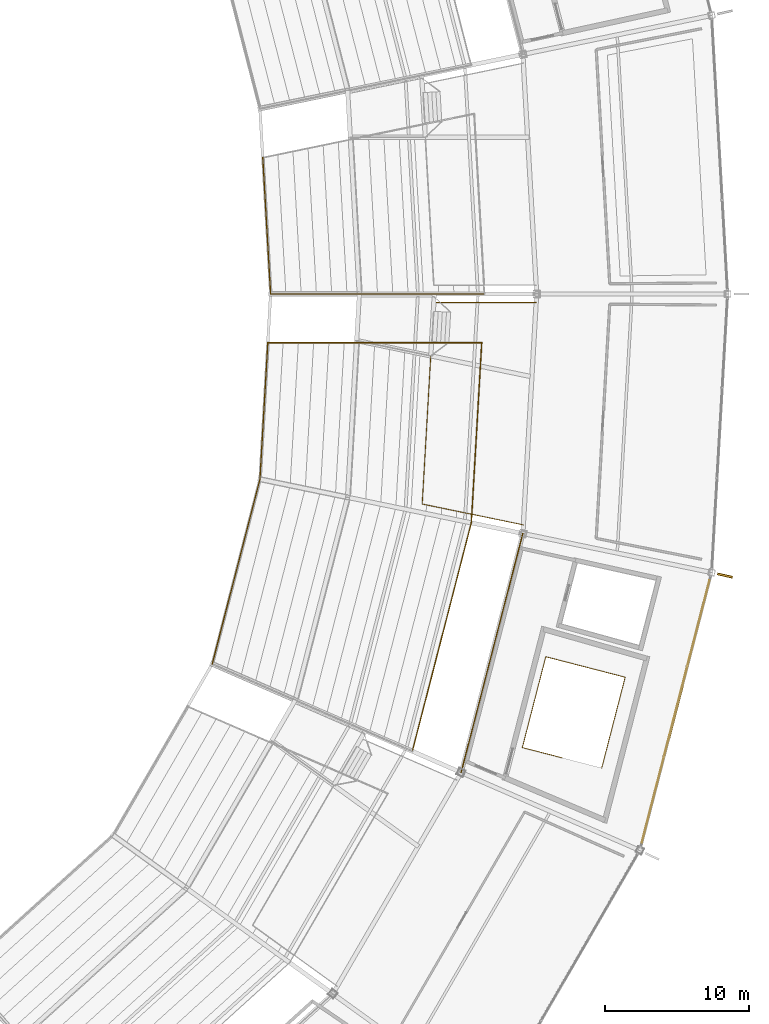
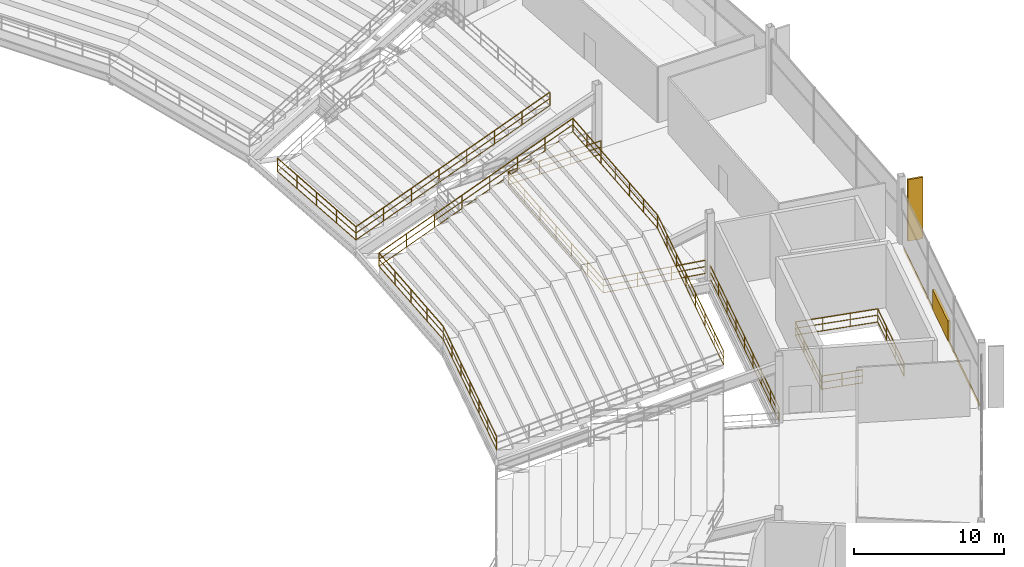
# One storey, part 178 of 186: 10 railings, 2 shading devices, 1 covering.
"""IFC4 building model written with IfcOpenShell, lengths in metres."""

import ifcopenshell
import ifcopenshell.guid

model = None  # the IFC model being written
_history = None  # IfcOwnerHistory: only IFC2X3 demands one
_inside = {}  # id of a spatial element -> (the spatial element, [elements in it])
_under = {}  # id of a project, library or spatial element -> (it, [spatial elements below it])
_declared = {}  # id of a project -> (the project, [libraries it declares])
_typed = {}  # id of a type object -> (the type object, [elements of that type])
_made_of = {}  # id of a material, layer set ... -> (it, [elements and type objects made of it])


def new_model(schema):
    """Start an empty IFC model of exactly this schema.

    Asked for "IFC4X3", IfcOpenShell would pick the latest addendum, in which some entities
    have other attributes; the version numbers below select the first issue.
    IFC2X3 requires an IfcOwnerHistory on every rooted entity: one is made here for all.
    """
    global model, _history
    if schema == "IFC4X3":
        model = ifcopenshell.file(schema_version=(4, 3, 0, 0))
    else:
        model = ifcopenshell.file(schema=schema)
    _inside.clear()
    _under.clear()
    _declared.clear()
    _typed.clear()
    _made_of.clear()
    _history = None
    if model.schema == "IFC2X3":
        org = make("IfcOrganization", Name="unknown")
        user = make(
            "IfcPersonAndOrganization",
            ThePerson=make("IfcPerson", FamilyName="unknown"),
            TheOrganization=org,
        )
        app = make(
            "IfcApplication",
            ApplicationDeveloper=org,
            Version="unknown",
            ApplicationFullName="unknown",
            ApplicationIdentifier="unknown",
        )
        _history = make(
            "IfcOwnerHistory",
            OwningUser=user,
            OwningApplication=app,
            ChangeAction="ADDED",
            CreationDate=0,
        )
    return model


def make(cls, **values):
    """One entity of the class cls with the attributes given. An attribute that is None is left unset."""
    return model.create_entity(
        cls, **{name: value for name, value in values.items() if value is not None}
    )


def rooted(cls, **values):
    """An entity with a GlobalId (a new one), such as an element, a storey or a relation."""
    return make(cls, GlobalId=ifcopenshell.guid.new(), OwnerHistory=_history, **values)


def si_unit(unit_type, name, prefix=None):
    """IfcSIUnit, for example si_unit("LENGTHUNIT", "METRE", prefix="MILLI")."""
    return make("IfcSIUnit", UnitType=unit_type, Prefix=prefix, Name=name)


def assignment(units):
    """IfcUnitAssignment: the units of a project."""
    return None if units is None else make("IfcUnitAssignment", Units=units)


def point(xyz):
    """IfcCartesianPoint."""
    return None if xyz is None else make("IfcCartesianPoint", Coordinates=xyz)


def direction(xyz):
    """IfcDirection."""
    return None if xyz is None else make("IfcDirection", DirectionRatios=xyz)


def frame(location, z_axis=None, x_axis=None):
    """IfcAxis2Placement3D, a coordinate frame: its origin and axes. An axis left out is left unset."""
    return make(
        "IfcAxis2Placement3D",
        Location=point(location),
        Axis=direction(z_axis),
        RefDirection=direction(x_axis),
    )


def frame_2d(location, x_axis=None):
    """IfcAxis2Placement2D, a coordinate frame in the plane: its origin and x axis."""
    return make(
        "IfcAxis2Placement2D", Location=point(location), RefDirection=direction(x_axis)
    )


def origin():
    """The frame at (0, 0, 0) with its axes left unset."""
    return frame((0.0, 0.0, 0.0))


def origin_2d():
    """The frame at (0, 0) in the plane with its x axis left unset."""
    return frame_2d((0.0, 0.0))


def place(relative_to, where):
    """IfcLocalPlacement: puts the frame where relative to a parent placement (None: the world)."""
    return make(
        "IfcLocalPlacement", PlacementRelTo=relative_to, RelativePlacement=where
    )


def context(
    kind, dimensions, precision=None, world=None, true_north=None, identifier=None
):
    """IfcGeometricRepresentationContext, for example the 3D "Model" context."""
    return make(
        "IfcGeometricRepresentationContext",
        ContextIdentifier=identifier,
        ContextType=kind,
        CoordinateSpaceDimension=dimensions,
        Precision=precision,
        WorldCoordinateSystem=world,
        TrueNorth=true_north,
    )


def subcontext(parent, identifier, kind, view, scale=None):
    """IfcGeometricRepresentationSubContext, for example "Body" below "Model"."""
    return make(
        "IfcGeometricRepresentationSubContext",
        ContextIdentifier=identifier,
        ContextType=kind,
        ParentContext=parent,
        TargetScale=scale,
        TargetView=view,
    )


def project(units=None, contexts=None):
    """IfcProject with its units and contexts."""
    return rooted(
        "IfcProject",
        Name="project",
        RepresentationContexts=contexts,
        UnitsInContext=assignment(units),
    )


def spatial(cls, under=None, at=None, **own):
    """A site, building, storey or space (cls), placed at a placement, below another one or the project."""
    s = rooted(cls, ObjectPlacement=at, **own)
    if under is not None:
        _under.setdefault(under.id(), (under, []))[1].append(s)
    return s


def profile(cls, at=None, kind="AREA", **sizes):
    """A parametric profile (cls). Its sizes go by their IFC names, for example OverallWidth=200.0."""
    return make(cls, ProfileType=kind, Position=at, **sizes)


def rectangle(**sizes):
    """IfcRectangleProfileDef."""
    return profile("IfcRectangleProfileDef", **sizes)


def extrude(swept, where, along, depth):
    """IfcExtrudedAreaSolid: the profile swept, set in the frame where, extruded along a direction by depth."""
    return make(
        "IfcExtrudedAreaSolid",
        SweptArea=swept,
        Position=where,
        ExtrudedDirection=direction(along),
        Depth=depth,
    )


def shape(context_of_items, identifier, shape_type, items):
    """IfcShapeRepresentation: the items that make up one representation, for example the "Body"."""
    return make(
        "IfcShapeRepresentation",
        ContextOfItems=context_of_items,
        RepresentationIdentifier=identifier,
        RepresentationType=shape_type,
        Items=items,
    )


def material(Name=None, Category=None):
    """IfcMaterial."""
    return make("IfcMaterial", Name=Name, Category=Category)


def layer(
    of_material, thickness, ventilated=None, Name=None, Category=None, Priority=None
):
    """IfcMaterialLayer: one layer of a wall or slab, of a material (None: an air gap)."""
    return make(
        "IfcMaterialLayer",
        Material=of_material,
        LayerThickness=thickness,
        IsVentilated=ventilated,
        Name=Name,
        Category=Category,
        Priority=Priority,
    )


def layer_set(layers, Name=None):
    """IfcMaterialLayerSet."""
    return make("IfcMaterialLayerSet", MaterialLayers=layers, LayerSetName=Name)


def made_of(thing, what):
    """Note that an element or type object is made of a material, layer set ...; save() writes the relation."""
    if what is not None:
        _made_of.setdefault(what.id(), (what, []))[1].append(thing)
    return thing


def type_object(cls, material=None, **own):
    """A type object (cls), such as IfcWallType, which elements share."""
    return made_of(rooted(cls, **own), material)


def element(
    cls,
    number,
    at=None,
    inside=None,
    cuts=None,
    type_object=None,
    material=None,
    context=None,
    identifier="Body",
    shape_type=None,
    held_by="IfcProductDefinitionShape",
    body=None,
    shapes=None,
    **own,
):
    """One element of the class cls, such as IfcWall. Its Tag is "e" and its number.

    at: its placement. inside: the storey or other place that contains it. cuts: it is an
    opening in that element (IfcRelVoidsElement). A single representation is given by context,
    identifier, shape_type and body (its items); several are given by shapes. held_by: the class
    of the entity that holds the representations. save() writes the other relations.
    """
    e = rooted(cls, Tag="e%d" % number, ObjectPlacement=at, **own)
    if body is not None:
        shapes = [shape(context, identifier, shape_type, body)]
    if shapes is not None:
        e.Representation = make(held_by, Representations=shapes)
    if inside is not None:
        _inside.setdefault(inside.id(), (inside, []))[1].append(e)
    if cuts is not None:
        rooted(
            "IfcRelVoidsElement", RelatingBuildingElement=cuts, RelatedOpeningElement=e
        )
    if type_object is not None:
        _typed.setdefault(type_object.id(), (type_object, []))[1].append(e)
    return made_of(e, material)


def aggregate(whole, parts):
    """IfcRelAggregates: a whole, such as a stair, and the parts it consists of."""
    return rooted("IfcRelAggregates", RelatingObject=whole, RelatedObjects=parts)


def save(model, path):
    """Write the relations noted so far, then the file.

    IfcRelAggregates (storeys below a building ...), IfcRelContainedInSpatialStructure (elements
    in a storey), IfcRelDefinesByType, IfcRelAssociatesMaterial and IfcRelDeclares: one each for
    every whole, place, type object, material and project.
    """
    for whole, parts in _under.values():
        aggregate(whole, parts)
    for where, things in _inside.values():
        rooted(
            "IfcRelContainedInSpatialStructure",
            RelatedElements=things,
            RelatingStructure=where,
        )
    for kind, things in _typed.values():
        rooted("IfcRelDefinesByType", RelatedObjects=things, RelatingType=kind)
    for what, things in _made_of.values():
        rooted("IfcRelAssociatesMaterial", RelatedObjects=things, RelatingMaterial=what)
    for by, libraries in _declared.values():
        rooted("IfcRelDeclares", RelatingContext=by, RelatedDefinitions=libraries)
    model.write(path)


model = new_model("IFC4")

# Units and contexts
model_context = context("Model", 3, precision=1e-05, world=origin(), true_north=direction((0.0, 1.0)))
body_context = subcontext(model_context, "Body", "Model", "MODEL_VIEW")
ifc_project = project(units=[si_unit("LENGTHUNIT", "METRE"), si_unit("AREAUNIT", "SQUARE_METRE"), si_unit("VOLUMEUNIT", "CUBIC_METRE"), si_unit("PLANEANGLEUNIT", "RADIAN"), si_unit("MASSUNIT", "GRAM", prefix="KILO")], contexts=[model_context])

# Site, building, storey
site_placement = place(None, origin())
site = spatial("IfcSite", under=ifc_project, at=site_placement, CompositionType="ELEMENT")
building_placement = place(site_placement, origin())
building = spatial("IfcBuilding", under=site, at=building_placement, Name="Kazemori Nagisa Stadium", CompositionType="ELEMENT")
storey_placement = place(building_placement, frame((0.0, 0.0, 20.39990234375)))
storey = spatial("IfcBuildingStorey", under=building, at=storey_placement, Name="L04", CompositionType="ELEMENT", Elevation=20.39990234375)

# Covering
ifc_material_1 = material(Name="Anodised aluminium 6063-T5", Category="aluminium")
ifc_layer = layer(ifc_material_1, 0.034912109375, Name="Anodised aluminium 6063-T5", Category="aluminium")
ifc_layer_set = layer_set([ifc_layer], Name="Anodised aluminium 6063-T5")
covering_type = type_object("IfcCoveringType", Name="Covering_CLAD", PredefinedType="CLADDING", material=ifc_layer_set)
covering_placement = place(storey_placement, frame((214.3828125, 72.92626953125, -0.259765625), z_axis=(0.0, 0.0, 1.0), x_axis=(0.249964642418, 0.968254965152, 0.0)))
element("IfcCovering", 1, at=covering_placement, inside=storey, type_object=covering_type, Name="Anodised fascia cladding L04-B27", PredefinedType="CLADDING", context=body_context, shape_type="SweptSolid", body=[
    extrude(rectangle(XDim=18.88623046875, YDim=0.0400390625, at=origin_2d()), origin(), (0.0, 0.0, 1.0), 0.260009765625),
])

# Shading devices
ifc_material_2 = material(Name="Aluminium 6063-T5 anodised", Category="aluminium")
shading_device_type_1 = type_object("IfcShadingDeviceType", Name="Fin_FN03", PredefinedType="USERDEFINED", material=ifc_material_2)
shading_device_1_placement = place(storey_placement, frame((217.811767578125, 82.389892578125, 0.0), z_axis=(0.0, 0.0, 1.0), x_axis=(0.974927912182, -0.222520933954, 0.0)))
element("IfcShadingDevice", 2, at=shading_device_1_placement, inside=storey, type_object=shading_device_type_1, Name="Aerodynamic wave shading fin L04-28", ObjectType="FIN", PredefinedType="USERDEFINED", context=body_context, shape_type="SweptSolid", body=[
    extrude(rectangle(XDim=1.050048828125, YDim=0.139892578125, at=origin_2d()), origin(), (0.0, 0.0, 1.0), 5.0),
])
shading_device_type_2 = type_object("IfcShadingDeviceType", Name="Louvre_LV02", PredefinedType="JALOUSIE", material=ifc_material_2)
shading_device_2_placement = place(storey_placement, frame((214.3828125, 72.92626953125, -0.010009765625), z_axis=(0.0, 0.0, 1.0), x_axis=(0.249964642418, 0.968254965152, 0.0)))
element("IfcShadingDevice", 3, at=shading_device_2_placement, inside=storey, type_object=shading_device_type_2, Name="Concourse ventilation louvre L04-B27", PredefinedType="JALOUSIE", context=body_context, shape_type="SweptSolid", body=[
    extrude(rectangle(XDim=3.800048828125, YDim=0.179931640625, at=origin_2d()), origin(), (0.0, 0.0, 1.0), 1.60009765625),
])

# Railings
ifc_material_3 = material(Name="Laminated safety glass and stainless steel SUS304", Category="steel")
railing_type_1 = type_object("IfcRailingType", Name="Rail_BAL", PredefinedType="BALUSTRADE", material=ifc_material_3)
railing_1_placement = place(storey_placement, frame((199.44091796875, 68.67529296875, 0.0)))
element("IfcRailing", 4, at=railing_1_placement, inside=storey, type_object=railing_type_1, Name="Upper concourse balustrade L04-B27", PredefinedType="BALUSTRADE", context=body_context, shape_type="SweptSolid", body=[
    extrude(rectangle(XDim=0.050048828125, YDim=0.050048828125, at=origin_2d()), frame((0.0, 0.0, 1.09521484375), z_axis=(0.249974673676, 0.968252375427, 0.0), x_axis=(-0.968252375427, 0.249974673676, 0.0)), (0.0, 0.0, 1.0), 17.188232421875),
    extrude(rectangle(XDim=0.03759765625, YDim=0.03759765625, at=origin_2d()), frame((0.0, 0.0, 0.58251953125), z_axis=(0.249974673676, 0.968252375427, 0.0), x_axis=(-0.968252375427, 0.249974673676, 0.0)), (0.0, 0.0, 1.0), 17.188232421875),
    extrude(rectangle(XDim=0.03759765625, YDim=0.03759765625, at=origin_2d()), frame((0.0, 0.0, 0.02490234375), z_axis=(0.249974673676, 0.968252375427, 0.0), x_axis=(-0.968252375427, 0.249974673676, 0.0)), (0.0, 0.0, 1.0), 17.188232421875),
    extrude(rectangle(XDim=0.044921875, YDim=0.044921875, at=origin_2d()), origin(), (0.0, 0.0, 1.0), 1.070068359375),
    extrude(rectangle(XDim=0.044921875, YDim=0.044921875, at=origin_2d()), frame((0.537109375, 2.080322265625, 0.0)), (0.0, 0.0, 1.0), 1.070068359375),
    extrude(rectangle(XDim=0.044921875, YDim=0.044921875, at=origin_2d()), frame((1.07421875, 4.16064453125, 0.0)), (0.0, 0.0, 1.0), 1.070068359375),
    extrude(rectangle(XDim=0.044921875, YDim=0.044921875, at=origin_2d()), frame((1.611328125, 6.240966796875, 0.0)), (0.0, 0.0, 1.0), 1.070068359375),
    extrude(rectangle(XDim=0.044921875, YDim=0.044921875, at=origin_2d()), frame((2.1484375, 8.3212890625, 0.0)), (0.0, 0.0, 1.0), 1.070068359375),
    extrude(rectangle(XDim=0.044921875, YDim=0.044921875, at=origin_2d()), frame((2.685302734375, 10.401611328125, 0.0)), (0.0, 0.0, 1.0), 1.070068359375),
    extrude(rectangle(XDim=0.044921875, YDim=0.044921875, at=origin_2d()), frame((3.222412109375, 12.48193359375, 0.0)), (0.0, 0.0, 1.0), 1.070068359375),
    extrude(rectangle(XDim=0.044921875, YDim=0.044921875, at=origin_2d()), frame((3.759521484375, 14.562255859375, 0.0)), (0.0, 0.0, 1.0), 1.070068359375),
    extrude(rectangle(XDim=0.044921875, YDim=0.044921875, at=origin_2d()), frame((4.296630859375, 16.642578125, 0.0)), (0.0, 0.0, 1.0), 1.070068359375),
])
railing_2_placement = place(storey_placement, frame((203.77197265625, 85.9169921875, 0.0)))
element("IfcRailing", 5, at=railing_2_placement, inside=storey, type_object=railing_type_1, Name="Upper vomitory lobby balustrade B28", PredefinedType="BALUSTRADE", context=body_context, shape_type="SweptSolid", body=[
    extrude(rectangle(XDim=0.050048828125, YDim=0.050048828125, at=origin_2d()), frame((0.0, 0.0, 1.09521484375), z_axis=(-0.979313585997, 0.202348462516, 0.0), x_axis=(-0.202348462516, -0.979313585997, 0.0)), (0.0, 0.0, 1.0), 7.189697265625),
    extrude(rectangle(XDim=0.03759765625, YDim=0.03759765625, at=origin_2d()), frame((0.0, 0.0, 0.58251953125), z_axis=(-0.979313585997, 0.202348462516, 0.0), x_axis=(-0.202348462516, -0.979313585997, 0.0)), (0.0, 0.0, 1.0), 7.189697265625),
    extrude(rectangle(XDim=0.03759765625, YDim=0.03759765625, at=origin_2d()), frame((0.0, 0.0, 0.02490234375), z_axis=(-0.979313585997, 0.202348462516, 0.0), x_axis=(-0.202348462516, -0.979313585997, 0.0)), (0.0, 0.0, 1.0), 7.189697265625),
    extrude(rectangle(XDim=0.050048828125, YDim=0.050048828125, at=origin_2d()), frame((-7.041015625, 1.454833984375, 1.09521484375), z_axis=(0.057610854061, 0.998339115478, 0.0), x_axis=(-0.998339115478, 0.057610854061, 0.0)), (0.0, 0.0, 1.0), 14.052490234375),
    extrude(rectangle(XDim=0.03759765625, YDim=0.03759765625, at=origin_2d()), frame((-7.041015625, 1.454833984375, 0.58251953125), z_axis=(0.057610854061, 0.998339115478, 0.0), x_axis=(-0.998339115478, 0.057610854061, 0.0)), (0.0, 0.0, 1.0), 14.052490234375),
    extrude(rectangle(XDim=0.03759765625, YDim=0.03759765625, at=origin_2d()), frame((-7.041015625, 1.454833984375, 0.02490234375), z_axis=(0.057610854061, 0.998339115478, 0.0), x_axis=(-0.998339115478, 0.057610854061, 0.0)), (0.0, 0.0, 1.0), 14.052490234375),
    extrude(rectangle(XDim=0.050048828125, YDim=0.050048828125, at=origin_2d()), frame((-6.2314453125, 15.48388671875, 1.09521484375), z_axis=(1.0, 0.0, 0.0), x_axis=(0.0, 1.0, 0.0)), (0.0, 0.0, 1.0), 7.125),
    extrude(rectangle(XDim=0.03759765625, YDim=0.03759765625, at=origin_2d()), frame((-6.2314453125, 15.48388671875, 0.58251953125), z_axis=(1.0, 0.0, 0.0), x_axis=(0.0, 1.0, 0.0)), (0.0, 0.0, 1.0), 7.125),
    extrude(rectangle(XDim=0.03759765625, YDim=0.03759765625, at=origin_2d()), frame((-6.2314453125, 15.48388671875, 0.02490234375), z_axis=(1.0, 0.0, 0.0), x_axis=(0.0, 1.0, 0.0)), (0.0, 0.0, 1.0), 7.125),
    extrude(rectangle(XDim=0.044921875, YDim=0.044921875, at=origin_2d()), origin(), (0.0, 0.0, 1.0), 1.070068359375),
    extrude(rectangle(XDim=0.044921875, YDim=0.044921875, at=origin_2d()), frame((-2.346923828125, 0.48486328125, 0.0)), (0.0, 0.0, 1.0), 1.070068359375),
    extrude(rectangle(XDim=0.044921875, YDim=0.044921875, at=origin_2d()), frame((-4.694091796875, 0.969970703125, 0.0)), (0.0, 0.0, 1.0), 1.070068359375),
    extrude(rectangle(XDim=0.044921875, YDim=0.044921875, at=origin_2d()), frame((-7.041015625, 1.454833984375, 0.0)), (0.0, 0.0, 1.0), 1.070068359375),
    extrude(rectangle(XDim=0.044921875, YDim=0.044921875, at=origin_2d()), frame((-6.906005859375, 3.79296875, 0.0)), (0.0, 0.0, 1.0), 1.070068359375),
    extrude(rectangle(XDim=0.044921875, YDim=0.044921875, at=origin_2d()), frame((-6.771240234375, 6.131103515625, 0.0)), (0.0, 0.0, 1.0), 1.070068359375),
    extrude(rectangle(XDim=0.044921875, YDim=0.044921875, at=origin_2d()), frame((-6.63623046875, 8.46923828125, 0.0)), (0.0, 0.0, 1.0), 1.070068359375),
    extrude(rectangle(XDim=0.044921875, YDim=0.044921875, at=origin_2d()), frame((-6.501220703125, 10.8076171875, 0.0)), (0.0, 0.0, 1.0), 1.070068359375),
    extrude(rectangle(XDim=0.044921875, YDim=0.044921875, at=origin_2d()), frame((-6.366455078125, 13.145751953125, 0.0)), (0.0, 0.0, 1.0), 1.070068359375),
    extrude(rectangle(XDim=0.044921875, YDim=0.044921875, at=origin_2d()), frame((-6.2314453125, 15.48388671875, 0.0)), (0.0, 0.0, 1.0), 1.070068359375),
    extrude(rectangle(XDim=0.044921875, YDim=0.044921875, at=origin_2d()), frame((-3.8564453125, 15.48388671875, 0.0)), (0.0, 0.0, 1.0), 1.070068359375),
    extrude(rectangle(XDim=0.044921875, YDim=0.044921875, at=origin_2d()), frame((-1.4814453125, 15.48388671875, 0.0)), (0.0, 0.0, 1.0), 1.070068359375),
    extrude(rectangle(XDim=0.044921875, YDim=0.044921875, at=origin_2d()), frame((0.8935546875, 15.48388671875, 0.0)), (0.0, 0.0, 1.0), 1.070068359375),
])
ifc_material_4 = material(Name="Galvanised powder-coated steel", Category="steel")
railing_type_2 = type_object("IfcRailingType", Name="Rail_GUARD", PredefinedType="GUARDRAIL", material=ifc_material_4)
railing_3_placement = place(storey_placement, frame((206.46826171875, 69.7041015625, 0.0)))
element("IfcRailing", 6, at=railing_3_placement, inside=storey, type_object=railing_type_2, Name="Stair well perimeter guard ST10-L04", PredefinedType="GUARDRAIL", context=body_context, shape_type="SweptSolid", body=[
    extrude(rectangle(XDim=0.050048828125, YDim=0.050048828125, at=origin_2d()), frame((0.0, 0.0, 1.09521484375), z_axis=(-0.968254587534, 0.249966105142, 0.0), x_axis=(-0.249966105142, -0.968254587534, 0.0)), (0.0, 0.0, 1.0), 2.85009765625),
    extrude(rectangle(XDim=0.03759765625, YDim=0.03759765625, at=origin_2d()), frame((0.0, 0.0, 0.58251953125), z_axis=(-0.968254587534, 0.249966105142, 0.0), x_axis=(-0.249966105142, -0.968254587534, 0.0)), (0.0, 0.0, 1.0), 2.85009765625),
    extrude(rectangle(XDim=0.03759765625, YDim=0.03759765625, at=origin_2d()), frame((0.0, 0.0, 0.02490234375), z_axis=(-0.968254587534, 0.249966105142, 0.0), x_axis=(-0.249966105142, -0.968254587534, 0.0)), (0.0, 0.0, 1.0), 2.85009765625),
    extrude(rectangle(XDim=0.050048828125, YDim=0.050048828125, at=origin_2d()), frame((-2.759521484375, 0.71240234375, 1.09521484375), z_axis=(0.249941389051, 0.968260967942, 0.0), x_axis=(-0.968260967942, 0.249941389051, 0.0)), (0.0, 0.0, 1.0), 6.52490234375),
    extrude(rectangle(XDim=0.03759765625, YDim=0.03759765625, at=origin_2d()), frame((-2.759521484375, 0.71240234375, 0.58251953125), z_axis=(0.249941389051, 0.968260967942, 0.0), x_axis=(-0.968260967942, 0.249941389051, 0.0)), (0.0, 0.0, 1.0), 6.52490234375),
    extrude(rectangle(XDim=0.03759765625, YDim=0.03759765625, at=origin_2d()), frame((-2.759521484375, 0.71240234375, 0.02490234375), z_axis=(0.249941389051, 0.968260967942, 0.0), x_axis=(-0.968260967942, 0.249941389051, 0.0)), (0.0, 0.0, 1.0), 6.52490234375),
    extrude(rectangle(XDim=0.050048828125, YDim=0.050048828125, at=origin_2d()), frame((-1.128662109375, 7.0302734375, 1.09521484375), z_axis=(0.968257263626, -0.249955738953, 0.0), x_axis=(0.249955738953, 0.968257263626, 0.0)), (0.0, 0.0, 1.0), 5.7001953125),
    extrude(rectangle(XDim=0.03759765625, YDim=0.03759765625, at=origin_2d()), frame((-1.128662109375, 7.0302734375, 0.58251953125), z_axis=(0.968257263626, -0.249955738953, 0.0), x_axis=(0.249955738953, 0.968257263626, 0.0)), (0.0, 0.0, 1.0), 5.7001953125),
    extrude(rectangle(XDim=0.03759765625, YDim=0.03759765625, at=origin_2d()), frame((-1.128662109375, 7.0302734375, 0.02490234375), z_axis=(0.968257263626, -0.249955738953, 0.0), x_axis=(0.249955738953, 0.968257263626, 0.0)), (0.0, 0.0, 1.0), 5.7001953125),
    extrude(rectangle(XDim=0.050048828125, YDim=0.050048828125, at=origin_2d()), frame((4.390625, 5.60546875, 1.09521484375), z_axis=(-0.249976467507, -0.96825191231, 0.0), x_axis=(0.96825191231, -0.249976467507, 0.0)), (0.0, 0.0, 1.0), 6.525146484375),
    extrude(rectangle(XDim=0.03759765625, YDim=0.03759765625, at=origin_2d()), frame((4.390625, 5.60546875, 0.58251953125), z_axis=(-0.249976467507, -0.96825191231, 0.0), x_axis=(0.96825191231, -0.249976467507, 0.0)), (0.0, 0.0, 1.0), 6.525146484375),
    extrude(rectangle(XDim=0.03759765625, YDim=0.03759765625, at=origin_2d()), frame((4.390625, 5.60546875, 0.02490234375), z_axis=(-0.249976467507, -0.96825191231, 0.0), x_axis=(0.96825191231, -0.249976467507, 0.0)), (0.0, 0.0, 1.0), 6.525146484375),
    extrude(rectangle(XDim=0.044921875, YDim=0.044921875, at=origin_2d()), origin(), (0.0, 0.0, 1.0), 1.070068359375),
    extrude(rectangle(XDim=0.044921875, YDim=0.044921875, at=origin_2d()), frame((-1.3798828125, 0.356201171875, 0.0)), (0.0, 0.0, 1.0), 1.070068359375),
    extrude(rectangle(XDim=0.044921875, YDim=0.044921875, at=origin_2d()), frame((-2.759521484375, 0.71240234375, 0.0)), (0.0, 0.0, 1.0), 1.070068359375),
    extrude(rectangle(XDim=0.044921875, YDim=0.044921875, at=origin_2d()), frame((-2.2158203125, 2.818359375, 0.0)), (0.0, 0.0, 1.0), 1.070068359375),
    extrude(rectangle(XDim=0.044921875, YDim=0.044921875, at=origin_2d()), frame((-1.67236328125, 4.92431640625, 0.0)), (0.0, 0.0, 1.0), 1.070068359375),
    extrude(rectangle(XDim=0.044921875, YDim=0.044921875, at=origin_2d()), frame((-1.128662109375, 7.0302734375, 0.0)), (0.0, 0.0, 1.0), 1.070068359375),
    extrude(rectangle(XDim=0.044921875, YDim=0.044921875, at=origin_2d()), frame((0.711181640625, 6.555419921875, 0.0)), (0.0, 0.0, 1.0), 1.070068359375),
    extrude(rectangle(XDim=0.044921875, YDim=0.044921875, at=origin_2d()), frame((2.55078125, 6.080322265625, 0.0)), (0.0, 0.0, 1.0), 1.070068359375),
    extrude(rectangle(XDim=0.044921875, YDim=0.044921875, at=origin_2d()), frame((4.390625, 5.60546875, 0.0)), (0.0, 0.0, 1.0), 1.070068359375),
    extrude(rectangle(XDim=0.044921875, YDim=0.044921875, at=origin_2d()), frame((3.846923828125, 3.49951171875, 0.0)), (0.0, 0.0, 1.0), 1.070068359375),
    extrude(rectangle(XDim=0.044921875, YDim=0.044921875, at=origin_2d()), frame((3.30322265625, 1.3935546875, 0.0)), (0.0, 0.0, 1.0), 1.070068359375),
    extrude(rectangle(XDim=0.044921875, YDim=0.044921875, at=origin_2d()), frame((2.759521484375, -0.71240234375, 0.0)), (0.0, 0.0, 1.0), 1.070068359375),
])
railing_4_placement = place(storey_placement, frame((186.175048828125, 102.0, -0.8798828125)))
element("IfcRailing", 7, at=railing_4_placement, inside=storey, type_object=railing_type_2, Name="Upper tier front crowd barrier B01", PredefinedType="GUARDRAIL", context=body_context, shape_type="SweptSolid", body=[
    extrude(rectangle(XDim=0.050048828125, YDim=0.050048828125, at=origin_2d()), frame((0.0, 0.0, 1.09521484375), z_axis=(-0.057618652076, 0.99833866545, 0.0), x_axis=(-0.99833866545, -0.057618652076, 0.0)), (0.0, 0.0, 1.0), 9.52099609375),
    extrude(rectangle(XDim=0.03759765625, YDim=0.03759765625, at=origin_2d()), frame((0.0, 0.0, 0.58251953125), z_axis=(-0.057618652076, 0.99833866545, 0.0), x_axis=(-0.99833866545, -0.057618652076, 0.0)), (0.0, 0.0, 1.0), 9.52099609375),
    extrude(rectangle(XDim=0.03759765625, YDim=0.03759765625, at=origin_2d()), frame((0.0, 0.0, 0.02490234375), z_axis=(-0.057618652076, 0.99833866545, 0.0), x_axis=(-0.99833866545, -0.057618652076, 0.0)), (0.0, 0.0, 1.0), 9.52099609375),
    extrude(rectangle(XDim=0.044921875, YDim=0.044921875, at=origin_2d()), origin(), (0.0, 0.0, 1.0), 1.070068359375),
    extrude(rectangle(XDim=0.044921875, YDim=0.044921875, at=origin_2d()), frame((-0.13720703125, 2.376220703125, 0.0)), (0.0, 0.0, 1.0), 1.070068359375),
    extrude(rectangle(XDim=0.044921875, YDim=0.044921875, at=origin_2d()), frame((-0.2744140625, 4.75244140625, 0.0)), (0.0, 0.0, 1.0), 1.070068359375),
    extrude(rectangle(XDim=0.044921875, YDim=0.044921875, at=origin_2d()), frame((-0.411376953125, 7.12890625, 0.0)), (0.0, 0.0, 1.0), 1.070068359375),
    extrude(rectangle(XDim=0.044921875, YDim=0.044921875, at=origin_2d()), frame((-0.548583984375, 9.505126953125, 0.0)), (0.0, 0.0, 1.0), 1.070068359375),
])
railing_5_placement = place(storey_placement, frame((186.175048828125, 102.0, -0.8798828125)))
element("IfcRailing", 8, at=railing_5_placement, inside=storey, type_object=railing_type_2, Name="Upper tier radial step guard B01L", PredefinedType="GUARDRAIL", context=body_context, shape_type="SweptSolid", body=[
    extrude(rectangle(XDim=0.050048828125, YDim=0.050048828125, at=origin_2d()), frame((0.0, 0.0, 1.09521484375), z_axis=(0.933539879319, 0.0, 0.3584735607), x_axis=(0.0, 1.0, 0.0)), (0.0, 0.0, 1.0), 15.95654296875),
    extrude(rectangle(XDim=0.03759765625, YDim=0.03759765625, at=origin_2d()), frame((0.0, 0.0, 0.58251953125), z_axis=(0.933539879319, 0.0, 0.3584735607), x_axis=(0.0, 1.0, 0.0)), (0.0, 0.0, 1.0), 15.95654296875),
    extrude(rectangle(XDim=0.03759765625, YDim=0.03759765625, at=origin_2d()), frame((0.0, 0.0, 0.02490234375), z_axis=(0.933539879319, 0.0, 0.3584735607), x_axis=(0.0, 1.0, 0.0)), (0.0, 0.0, 1.0), 15.95654296875),
    extrude(rectangle(XDim=0.044921875, YDim=0.044921875, at=origin_2d()), origin(), (0.0, 0.0, 1.0), 1.070068359375),
    extrude(rectangle(XDim=0.044921875, YDim=0.044921875, at=origin_2d()), frame((2.1279296875, 0.0, 0.817138671875)), (0.0, 0.0, 1.0), 1.070068359375),
    extrude(rectangle(XDim=0.044921875, YDim=0.044921875, at=origin_2d()), frame((4.256103515625, 0.0, 1.63427734375)), (0.0, 0.0, 1.0), 1.070068359375),
    extrude(rectangle(XDim=0.044921875, YDim=0.044921875, at=origin_2d()), frame((6.384033203125, 0.0, 2.451416015625)), (0.0, 0.0, 1.0), 1.070068359375),
    extrude(rectangle(XDim=0.044921875, YDim=0.044921875, at=origin_2d()), frame((8.511962890625, 0.0, 3.2685546875)), (0.0, 0.0, 1.0), 1.070068359375),
    extrude(rectangle(XDim=0.044921875, YDim=0.044921875, at=origin_2d()), frame((10.639892578125, 0.0, 4.085693359375)), (0.0, 0.0, 1.0), 1.070068359375),
    extrude(rectangle(XDim=0.044921875, YDim=0.044921875, at=origin_2d()), frame((12.76806640625, 0.0, 4.90283203125)), (0.0, 0.0, 1.0), 1.070068359375),
    extrude(rectangle(XDim=0.044921875, YDim=0.044921875, at=origin_2d()), frame((14.89599609375, 0.0, 5.719970703125)), (0.0, 0.0, 1.0), 1.070068359375),
])
railing_6_placement = place(storey_placement, frame((182.1083984375, 76.2314453125, -0.8798828125)))
element("IfcRailing", 9, at=railing_6_placement, inside=storey, type_object=railing_type_2, Name="Upper tier front crowd barrier B27", PredefinedType="GUARDRAIL", context=body_context, shape_type="SweptSolid", body=[
    extrude(rectangle(XDim=0.050048828125, YDim=0.050048828125, at=origin_2d()), frame((0.0, 0.0, 1.09521484375), z_axis=(0.249962460732, 0.968255528373, 0.0), x_axis=(-0.968255528373, 0.249962460732, 0.0)), (0.0, 0.0, 1.0), 13.291015625),
    extrude(rectangle(XDim=0.03759765625, YDim=0.03759765625, at=origin_2d()), frame((0.0, 0.0, 0.58251953125), z_axis=(0.249962460732, 0.968255528373, 0.0), x_axis=(-0.968255528373, 0.249962460732, 0.0)), (0.0, 0.0, 1.0), 13.291015625),
    extrude(rectangle(XDim=0.03759765625, YDim=0.03759765625, at=origin_2d()), frame((0.0, 0.0, 0.02490234375), z_axis=(0.249962460732, 0.968255528373, 0.0), x_axis=(-0.968255528373, 0.249962460732, 0.0)), (0.0, 0.0, 1.0), 13.291015625),
    extrude(rectangle(XDim=0.044921875, YDim=0.044921875, at=origin_2d()), origin(), (0.0, 0.0, 1.0), 1.070068359375),
    extrude(rectangle(XDim=0.044921875, YDim=0.044921875, at=origin_2d()), frame((0.5537109375, 2.144775390625, 0.0)), (0.0, 0.0, 1.0), 1.070068359375),
    extrude(rectangle(XDim=0.044921875, YDim=0.044921875, at=origin_2d()), frame((1.107421875, 4.289794921875, 0.0)), (0.0, 0.0, 1.0), 1.070068359375),
    extrude(rectangle(XDim=0.044921875, YDim=0.044921875, at=origin_2d()), frame((1.6611328125, 6.4345703125, 0.0)), (0.0, 0.0, 1.0), 1.070068359375),
    extrude(rectangle(XDim=0.044921875, YDim=0.044921875, at=origin_2d()), frame((2.21484375, 8.579345703125, 0.0)), (0.0, 0.0, 1.0), 1.070068359375),
    extrude(rectangle(XDim=0.044921875, YDim=0.044921875, at=origin_2d()), frame((2.7685546875, 10.724365234375, 0.0)), (0.0, 0.0, 1.0), 1.070068359375),
    extrude(rectangle(XDim=0.044921875, YDim=0.044921875, at=origin_2d()), frame((3.322265625, 12.869140625, 0.0)), (0.0, 0.0, 1.0), 1.070068359375),
])
railing_7_placement = place(storey_placement, frame((196.045654296875, 70.155517578125, 4.840087890625)))
element("IfcRailing", 10, at=railing_7_placement, inside=storey, type_object=railing_type_2, Name="Upper tier rear guard B27", PredefinedType="GUARDRAIL", context=body_context, shape_type="SweptSolid", body=[
    extrude(rectangle(XDim=0.050048828125, YDim=0.050048828125, at=origin_2d()), frame((0.0, 0.0, 1.09521484375), z_axis=(0.24995354204, 0.968257830757, 0.0), x_axis=(-0.968257830757, 0.24995354204, 0.0)), (0.0, 0.0, 1.0), 16.425048828125),
    extrude(rectangle(XDim=0.03759765625, YDim=0.03759765625, at=origin_2d()), frame((0.0, 0.0, 0.58251953125), z_axis=(0.24995354204, 0.968257830757, 0.0), x_axis=(-0.968257830757, 0.24995354204, 0.0)), (0.0, 0.0, 1.0), 16.425048828125),
    extrude(rectangle(XDim=0.03759765625, YDim=0.03759765625, at=origin_2d()), frame((0.0, 0.0, 0.02490234375), z_axis=(0.24995354204, 0.968257830757, 0.0), x_axis=(-0.968257830757, 0.24995354204, 0.0)), (0.0, 0.0, 1.0), 16.425048828125),
    extrude(rectangle(XDim=0.044921875, YDim=0.044921875, at=origin_2d()), origin(), (0.0, 0.0, 1.0), 1.070068359375),
    extrude(rectangle(XDim=0.044921875, YDim=0.044921875, at=origin_2d()), frame((0.58642578125, 2.27197265625, 0.0)), (0.0, 0.0, 1.0), 1.070068359375),
    extrude(rectangle(XDim=0.044921875, YDim=0.044921875, at=origin_2d()), frame((1.173095703125, 4.5439453125, 0.0)), (0.0, 0.0, 1.0), 1.070068359375),
    extrude(rectangle(XDim=0.044921875, YDim=0.044921875, at=origin_2d()), frame((1.759521484375, 6.81591796875, 0.0)), (0.0, 0.0, 1.0), 1.070068359375),
    extrude(rectangle(XDim=0.044921875, YDim=0.044921875, at=origin_2d()), frame((2.345947265625, 9.087646484375, 0.0)), (0.0, 0.0, 1.0), 1.070068359375),
    extrude(rectangle(XDim=0.044921875, YDim=0.044921875, at=origin_2d()), frame((2.932373046875, 11.359619140625, 0.0)), (0.0, 0.0, 1.0), 1.070068359375),
    extrude(rectangle(XDim=0.044921875, YDim=0.044921875, at=origin_2d()), frame((3.51904296875, 13.631591796875, 0.0)), (0.0, 0.0, 1.0), 1.070068359375),
    extrude(rectangle(XDim=0.044921875, YDim=0.044921875, at=origin_2d()), frame((4.10546875, 15.903564453125, 0.0)), (0.0, 0.0, 1.0), 1.070068359375),
])
railing_8_placement = place(storey_placement, frame((185.4306640625, 89.1005859375, -0.8798828125)))
element("IfcRailing", 11, at=railing_8_placement, inside=storey, type_object=railing_type_2, Name="Upper tier front crowd barrier B28", PredefinedType="GUARDRAIL", context=body_context, shape_type="SweptSolid", body=[
    extrude(rectangle(XDim=0.050048828125, YDim=0.050048828125, at=origin_2d()), frame((0.0, 0.0, 1.09521484375), z_axis=(0.057618652076, 0.99833866545, 0.0), x_axis=(-0.99833866545, 0.057618652076, 0.0)), (0.0, 0.0, 1.0), 9.52099609375),
    extrude(rectangle(XDim=0.03759765625, YDim=0.03759765625, at=origin_2d()), frame((0.0, 0.0, 0.58251953125), z_axis=(0.057618652076, 0.99833866545, 0.0), x_axis=(-0.99833866545, 0.057618652076, 0.0)), (0.0, 0.0, 1.0), 9.52099609375),
    extrude(rectangle(XDim=0.03759765625, YDim=0.03759765625, at=origin_2d()), frame((0.0, 0.0, 0.02490234375), z_axis=(0.057618652076, 0.99833866545, 0.0), x_axis=(-0.99833866545, 0.057618652076, 0.0)), (0.0, 0.0, 1.0), 9.52099609375),
    extrude(rectangle(XDim=0.044921875, YDim=0.044921875, at=origin_2d()), origin(), (0.0, 0.0, 1.0), 1.070068359375),
    extrude(rectangle(XDim=0.044921875, YDim=0.044921875, at=origin_2d()), frame((0.13720703125, 2.376220703125, 0.0)), (0.0, 0.0, 1.0), 1.070068359375),
    extrude(rectangle(XDim=0.044921875, YDim=0.044921875, at=origin_2d()), frame((0.2744140625, 4.75244140625, 0.0)), (0.0, 0.0, 1.0), 1.070068359375),
    extrude(rectangle(XDim=0.044921875, YDim=0.044921875, at=origin_2d()), frame((0.411376953125, 7.12890625, 0.0)), (0.0, 0.0, 1.0), 1.070068359375),
    extrude(rectangle(XDim=0.044921875, YDim=0.044921875, at=origin_2d()), frame((0.548583984375, 9.505126953125, 0.0)), (0.0, 0.0, 1.0), 1.070068359375),
])
railing_9_placement = place(storey_placement, frame((200.151123046875, 86.05908203125, 4.840087890625)))
element("IfcRailing", 12, at=railing_9_placement, inside=storey, type_object=railing_type_2, Name="Upper tier rear guard B28", PredefinedType="GUARDRAIL", context=body_context, shape_type="SweptSolid", body=[
    extrude(rectangle(XDim=0.050048828125, YDim=0.050048828125, at=origin_2d()), frame((0.0, 0.0, 1.09521484375), z_axis=(0.05761850338, 0.998338674032, 0.0), x_axis=(-0.998338674032, 0.05761850338, 0.0)), (0.0, 0.0, 1.0), 12.567626953125),
    extrude(rectangle(XDim=0.03759765625, YDim=0.03759765625, at=origin_2d()), frame((0.0, 0.0, 0.58251953125), z_axis=(0.05761850338, 0.998338674032, 0.0), x_axis=(-0.998338674032, 0.05761850338, 0.0)), (0.0, 0.0, 1.0), 12.567626953125),
    extrude(rectangle(XDim=0.03759765625, YDim=0.03759765625, at=origin_2d()), frame((0.0, 0.0, 0.02490234375), z_axis=(0.05761850338, 0.998338674032, 0.0), x_axis=(-0.998338674032, 0.05761850338, 0.0)), (0.0, 0.0, 1.0), 12.567626953125),
    extrude(rectangle(XDim=0.044921875, YDim=0.044921875, at=origin_2d()), origin(), (0.0, 0.0, 1.0), 1.070068359375),
    extrude(rectangle(XDim=0.044921875, YDim=0.044921875, at=origin_2d()), frame((0.12060546875, 2.091064453125, 0.0)), (0.0, 0.0, 1.0), 1.070068359375),
    extrude(rectangle(XDim=0.044921875, YDim=0.044921875, at=origin_2d()), frame((0.241455078125, 4.18212890625, 0.0)), (0.0, 0.0, 1.0), 1.070068359375),
    extrude(rectangle(XDim=0.044921875, YDim=0.044921875, at=origin_2d()), frame((0.362060546875, 6.2734375, 0.0)), (0.0, 0.0, 1.0), 1.070068359375),
    extrude(rectangle(XDim=0.044921875, YDim=0.044921875, at=origin_2d()), frame((0.482666015625, 8.364501953125, 0.0)), (0.0, 0.0, 1.0), 1.070068359375),
    extrude(rectangle(XDim=0.044921875, YDim=0.044921875, at=origin_2d()), frame((0.603515625, 10.45556640625, 0.0)), (0.0, 0.0, 1.0), 1.070068359375),
    extrude(rectangle(XDim=0.044921875, YDim=0.044921875, at=origin_2d()), frame((0.72412109375, 12.546630859375, 0.0)), (0.0, 0.0, 1.0), 1.070068359375),
])
railing_10_placement = place(storey_placement, frame((185.979248046875, 98.605712890625, -0.8798828125)))
element("IfcRailing", 13, at=railing_10_placement, inside=storey, type_object=railing_type_2, Name="Upper tier radial step guard B28R", PredefinedType="GUARDRAIL", context=body_context, shape_type="SweptSolid", body=[
    extrude(rectangle(XDim=0.050048828125, YDim=0.050048828125, at=origin_2d()), frame((0.0, 0.0, 1.09521484375), z_axis=(0.933539879319, 0.0, 0.3584735607), x_axis=(0.0, 1.0, 0.0)), (0.0, 0.0, 1.0), 15.95654296875),
    extrude(rectangle(XDim=0.03759765625, YDim=0.03759765625, at=origin_2d()), frame((0.0, 0.0, 0.58251953125), z_axis=(0.933539879319, 0.0, 0.3584735607), x_axis=(0.0, 1.0, 0.0)), (0.0, 0.0, 1.0), 15.95654296875),
    extrude(rectangle(XDim=0.03759765625, YDim=0.03759765625, at=origin_2d()), frame((0.0, 0.0, 0.02490234375), z_axis=(0.933539879319, 0.0, 0.3584735607), x_axis=(0.0, 1.0, 0.0)), (0.0, 0.0, 1.0), 15.95654296875),
    extrude(rectangle(XDim=0.044921875, YDim=0.044921875, at=origin_2d()), origin(), (0.0, 0.0, 1.0), 1.070068359375),
    extrude(rectangle(XDim=0.044921875, YDim=0.044921875, at=origin_2d()), frame((2.1279296875, 0.0, 0.817138671875)), (0.0, 0.0, 1.0), 1.070068359375),
    extrude(rectangle(XDim=0.044921875, YDim=0.044921875, at=origin_2d()), frame((4.256103515625, 0.0, 1.63427734375)), (0.0, 0.0, 1.0), 1.070068359375),
    extrude(rectangle(XDim=0.044921875, YDim=0.044921875, at=origin_2d()), frame((6.384033203125, 0.0, 2.451416015625)), (0.0, 0.0, 1.0), 1.070068359375),
    extrude(rectangle(XDim=0.044921875, YDim=0.044921875, at=origin_2d()), frame((8.511962890625, 0.0, 3.2685546875)), (0.0, 0.0, 1.0), 1.070068359375),
    extrude(rectangle(XDim=0.044921875, YDim=0.044921875, at=origin_2d()), frame((10.639892578125, 0.0, 4.085693359375)), (0.0, 0.0, 1.0), 1.070068359375),
    extrude(rectangle(XDim=0.044921875, YDim=0.044921875, at=origin_2d()), frame((12.76806640625, 0.0, 4.90283203125)), (0.0, 0.0, 1.0), 1.070068359375),
    extrude(rectangle(XDim=0.044921875, YDim=0.044921875, at=origin_2d()), frame((14.89599609375, 0.0, 5.719970703125)), (0.0, 0.0, 1.0), 1.070068359375),
])

save(model, "model.ifc")
